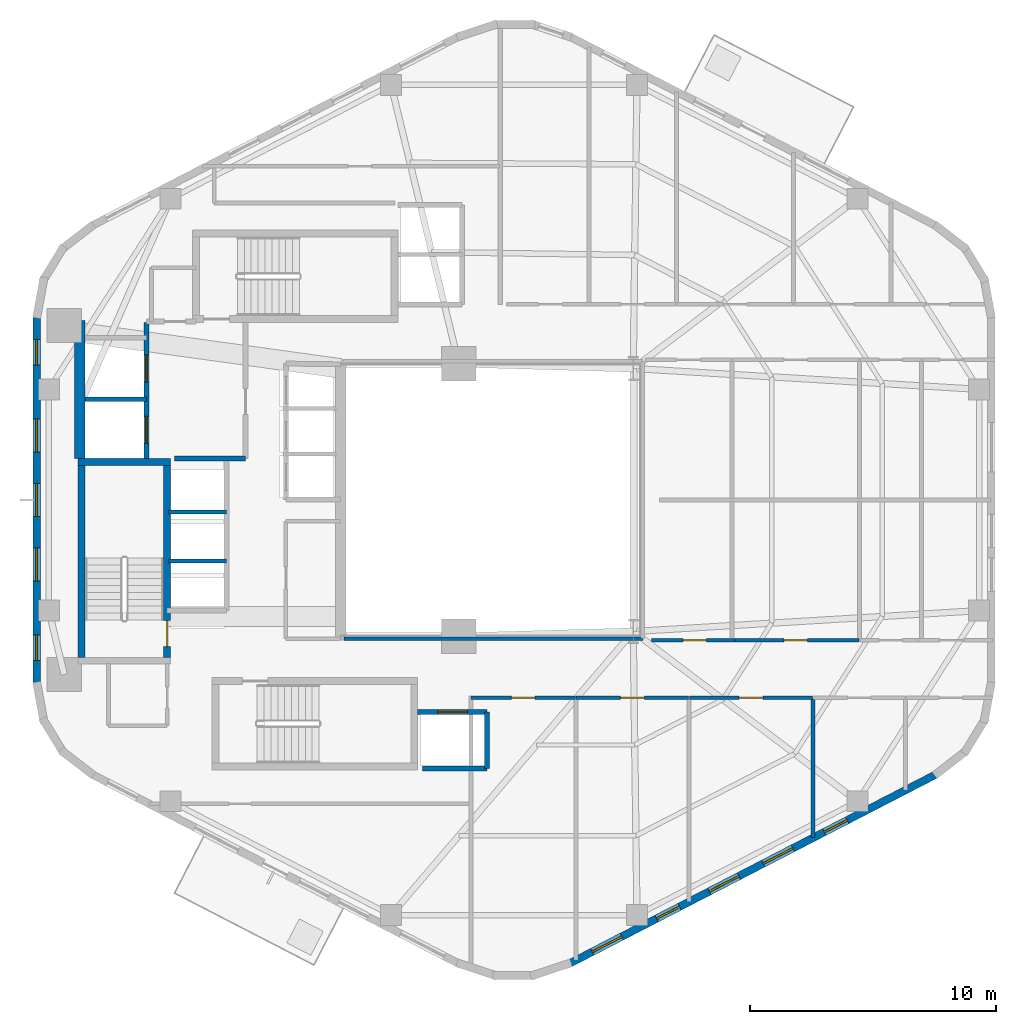
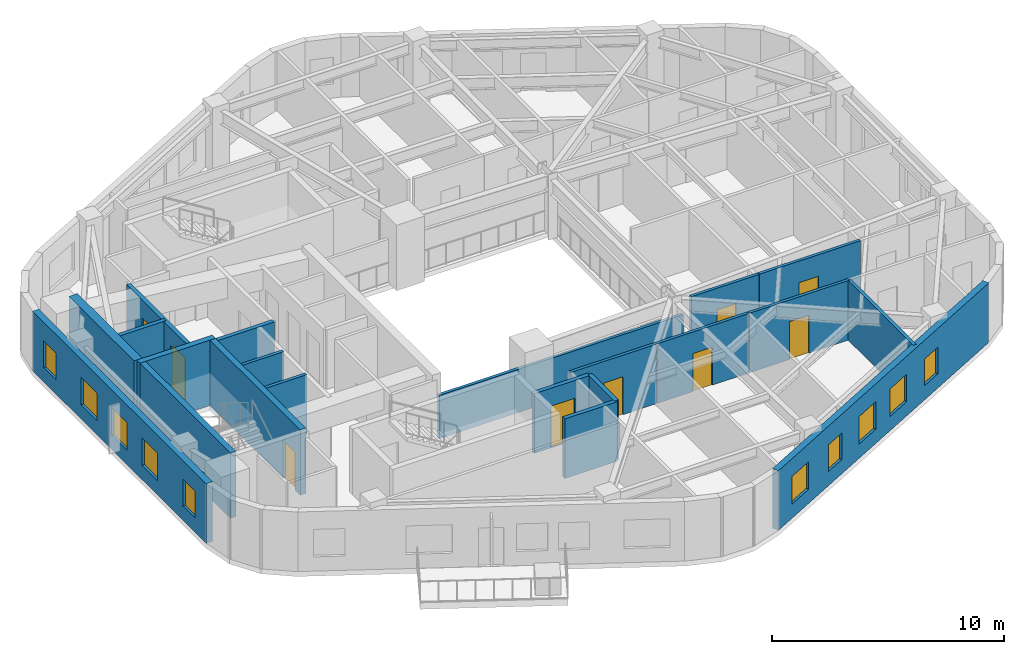
# One storey, part 3 of 8: 21 walls, 10 windows, 9 doors, 19 openings.
"""IFC4 building model written with IfcOpenShell, lengths in metres."""

import ifcopenshell
import ifcopenshell.guid

model = None  # the IFC model being written
_history = None  # IfcOwnerHistory: only IFC2X3 demands one
_inside = {}  # id of a spatial element -> (the spatial element, [elements in it])
_under = {}  # id of a project, library or spatial element -> (it, [spatial elements below it])
_declared = {}  # id of a project -> (the project, [libraries it declares])
_typed = {}  # id of a type object -> (the type object, [elements of that type])
_made_of = {}  # id of a material, layer set ... -> (it, [elements and type objects made of it])


def new_model(schema):
    """Start an empty IFC model of exactly this schema.

    Asked for "IFC4X3", IfcOpenShell would pick the latest addendum, in which some entities
    have other attributes; the version numbers below select the first issue.
    IFC2X3 requires an IfcOwnerHistory on every rooted entity: one is made here for all.
    """
    global model, _history
    if schema == "IFC4X3":
        model = ifcopenshell.file(schema_version=(4, 3, 0, 0))
    else:
        model = ifcopenshell.file(schema=schema)
    _inside.clear()
    _under.clear()
    _declared.clear()
    _typed.clear()
    _made_of.clear()
    _history = None
    if model.schema == "IFC2X3":
        org = make("IfcOrganization", Name="unknown")
        user = make(
            "IfcPersonAndOrganization",
            ThePerson=make("IfcPerson", FamilyName="unknown"),
            TheOrganization=org,
        )
        app = make(
            "IfcApplication",
            ApplicationDeveloper=org,
            Version="unknown",
            ApplicationFullName="unknown",
            ApplicationIdentifier="unknown",
        )
        _history = make(
            "IfcOwnerHistory",
            OwningUser=user,
            OwningApplication=app,
            ChangeAction="ADDED",
            CreationDate=0,
        )
    return model


def make(cls, **values):
    """One entity of the class cls with the attributes given. An attribute that is None is left unset."""
    return model.create_entity(
        cls, **{name: value for name, value in values.items() if value is not None}
    )


def rooted(cls, **values):
    """An entity with a GlobalId (a new one), such as an element, a storey or a relation."""
    return make(cls, GlobalId=ifcopenshell.guid.new(), OwnerHistory=_history, **values)


def si_unit(unit_type, name, prefix=None):
    """IfcSIUnit, for example si_unit("LENGTHUNIT", "METRE", prefix="MILLI")."""
    return make("IfcSIUnit", UnitType=unit_type, Prefix=prefix, Name=name)


def assignment(units):
    """IfcUnitAssignment: the units of a project."""
    return None if units is None else make("IfcUnitAssignment", Units=units)


def point(xyz):
    """IfcCartesianPoint."""
    return None if xyz is None else make("IfcCartesianPoint", Coordinates=xyz)


def direction(xyz):
    """IfcDirection."""
    return None if xyz is None else make("IfcDirection", DirectionRatios=xyz)


def frame(location, z_axis=None, x_axis=None):
    """IfcAxis2Placement3D, a coordinate frame: its origin and axes. An axis left out is left unset."""
    return make(
        "IfcAxis2Placement3D",
        Location=point(location),
        Axis=direction(z_axis),
        RefDirection=direction(x_axis),
    )


def frame_2d(location, x_axis=None):
    """IfcAxis2Placement2D, a coordinate frame in the plane: its origin and x axis."""
    return make(
        "IfcAxis2Placement2D", Location=point(location), RefDirection=direction(x_axis)
    )


def origin():
    """The frame at (0, 0, 0) with its axes left unset."""
    return frame((0.0, 0.0, 0.0))


def place(relative_to, where):
    """IfcLocalPlacement: puts the frame where relative to a parent placement (None: the world)."""
    return make(
        "IfcLocalPlacement", PlacementRelTo=relative_to, RelativePlacement=where
    )


def context(
    kind, dimensions, precision=None, world=None, true_north=None, identifier=None
):
    """IfcGeometricRepresentationContext, for example the 3D "Model" context."""
    return make(
        "IfcGeometricRepresentationContext",
        ContextIdentifier=identifier,
        ContextType=kind,
        CoordinateSpaceDimension=dimensions,
        Precision=precision,
        WorldCoordinateSystem=world,
        TrueNorth=true_north,
    )


def subcontext(parent, identifier, kind, view, scale=None):
    """IfcGeometricRepresentationSubContext, for example "Body" below "Model"."""
    return make(
        "IfcGeometricRepresentationSubContext",
        ContextIdentifier=identifier,
        ContextType=kind,
        ParentContext=parent,
        TargetScale=scale,
        TargetView=view,
    )


def project(units=None, contexts=None):
    """IfcProject with its units and contexts."""
    return rooted(
        "IfcProject",
        Name="project",
        RepresentationContexts=contexts,
        UnitsInContext=assignment(units),
    )


def spatial(cls, under=None, at=None, **own):
    """A site, building, storey or space (cls), placed at a placement, below another one or the project."""
    s = rooted(cls, ObjectPlacement=at, **own)
    if under is not None:
        _under.setdefault(under.id(), (under, []))[1].append(s)
    return s


def profile(cls, at=None, kind="AREA", **sizes):
    """A parametric profile (cls). Its sizes go by their IFC names, for example OverallWidth=200.0."""
    return make(cls, ProfileType=kind, Position=at, **sizes)


def rectangle(**sizes):
    """IfcRectangleProfileDef."""
    return profile("IfcRectangleProfileDef", **sizes)


def extrude(swept, where, along, depth):
    """IfcExtrudedAreaSolid: the profile swept, set in the frame where, extruded along a direction by depth."""
    return make(
        "IfcExtrudedAreaSolid",
        SweptArea=swept,
        Position=where,
        ExtrudedDirection=direction(along),
        Depth=depth,
    )


def shape(context_of_items, identifier, shape_type, items):
    """IfcShapeRepresentation: the items that make up one representation, for example the "Body"."""
    return make(
        "IfcShapeRepresentation",
        ContextOfItems=context_of_items,
        RepresentationIdentifier=identifier,
        RepresentationType=shape_type,
        Items=items,
    )


def material(Name=None, Category=None):
    """IfcMaterial."""
    return make("IfcMaterial", Name=Name, Category=Category)


def layer(
    of_material, thickness, ventilated=None, Name=None, Category=None, Priority=None
):
    """IfcMaterialLayer: one layer of a wall or slab, of a material (None: an air gap)."""
    return make(
        "IfcMaterialLayer",
        Material=of_material,
        LayerThickness=thickness,
        IsVentilated=ventilated,
        Name=Name,
        Category=Category,
        Priority=Priority,
    )


def layer_set(layers, Name=None):
    """IfcMaterialLayerSet."""
    return make("IfcMaterialLayerSet", MaterialLayers=layers, LayerSetName=Name)


def made_of(thing, what):
    """Note that an element or type object is made of a material, layer set ...; save() writes the relation."""
    if what is not None:
        _made_of.setdefault(what.id(), (what, []))[1].append(thing)
    return thing


def type_object(cls, material=None, **own):
    """A type object (cls), such as IfcWallType, which elements share."""
    return made_of(rooted(cls, **own), material)


def element(
    cls,
    number,
    at=None,
    inside=None,
    cuts=None,
    type_object=None,
    material=None,
    context=None,
    identifier="Body",
    shape_type=None,
    held_by="IfcProductDefinitionShape",
    body=None,
    shapes=None,
    **own,
):
    """One element of the class cls, such as IfcWall. Its Tag is "e" and its number.

    at: its placement. inside: the storey or other place that contains it. cuts: it is an
    opening in that element (IfcRelVoidsElement). A single representation is given by context,
    identifier, shape_type and body (its items); several are given by shapes. held_by: the class
    of the entity that holds the representations. save() writes the other relations.
    """
    e = rooted(cls, Tag="e%d" % number, ObjectPlacement=at, **own)
    if body is not None:
        shapes = [shape(context, identifier, shape_type, body)]
    if shapes is not None:
        e.Representation = make(held_by, Representations=shapes)
    if inside is not None:
        _inside.setdefault(inside.id(), (inside, []))[1].append(e)
    if cuts is not None:
        rooted(
            "IfcRelVoidsElement", RelatingBuildingElement=cuts, RelatedOpeningElement=e
        )
    if type_object is not None:
        _typed.setdefault(type_object.id(), (type_object, []))[1].append(e)
    return made_of(e, material)


def fill(opening, filler):
    """IfcRelFillsElement: the door or window that sits in an opening."""
    return rooted(
        "IfcRelFillsElement",
        RelatingOpeningElement=opening,
        RelatedBuildingElement=filler,
    )


def aggregate(whole, parts):
    """IfcRelAggregates: a whole, such as a stair, and the parts it consists of."""
    return rooted("IfcRelAggregates", RelatingObject=whole, RelatedObjects=parts)


def save(model, path):
    """Write the relations noted so far, then the file.

    IfcRelAggregates (storeys below a building ...), IfcRelContainedInSpatialStructure (elements
    in a storey), IfcRelDefinesByType, IfcRelAssociatesMaterial and IfcRelDeclares: one each for
    every whole, place, type object, material and project.
    """
    for whole, parts in _under.values():
        aggregate(whole, parts)
    for where, things in _inside.values():
        rooted(
            "IfcRelContainedInSpatialStructure",
            RelatedElements=things,
            RelatingStructure=where,
        )
    for kind, things in _typed.values():
        rooted("IfcRelDefinesByType", RelatedObjects=things, RelatingType=kind)
    for what, things in _made_of.values():
        rooted("IfcRelAssociatesMaterial", RelatedObjects=things, RelatingMaterial=what)
    for by, libraries in _declared.values():
        rooted("IfcRelDeclares", RelatingContext=by, RelatedDefinitions=libraries)
    model.write(path)


model = new_model("IFC4")

# Units and contexts
model_context = context("Model", 3, precision=1e-05, world=origin(), true_north=direction((0.0, 1.0)))
body_context = subcontext(model_context, "Body", "Model", "MODEL_VIEW")
ifc_project = project(units=[si_unit("LENGTHUNIT", "METRE"), si_unit("AREAUNIT", "SQUARE_METRE"), si_unit("VOLUMEUNIT", "CUBIC_METRE"), si_unit("PLANEANGLEUNIT", "RADIAN"), si_unit("MASSUNIT", "GRAM", prefix="KILO"), si_unit("THERMODYNAMICTEMPERATUREUNIT", "KELVIN"), si_unit("POWERUNIT", "WATT")], contexts=[model_context])

# Site, building, storey
site_placement = place(None, origin())
site = spatial("IfcSite", under=ifc_project, at=site_placement, CompositionType="ELEMENT")
building_placement = place(site_placement, origin())
building = spatial("IfcBuilding", under=site, at=building_placement, Name="Skarre Station Tower", CompositionType="ELEMENT")
storey_placement = place(building_placement, frame((0.0, 0.0, 187.800048828125)))
storey = spatial("IfcBuildingStorey", under=building, at=storey_placement, Name="L51", CompositionType="ELEMENT", Elevation=187.800048828125)

# Wall
ifc_material_1 = material(Name="Acoustic Steel-Stud Gypsum Partition", Category="steel")
ifc_layer_1 = layer(ifc_material_1, 0.14990234375, Name="Acoustic Steel-Stud Gypsum Partition")
ifc_layer_set_1 = layer_set([ifc_layer_1], Name="Acoustic Steel-Stud Gypsum Partition")
wall_type_1 = type_object("IfcWallType", Name="Fire-Rated Corridor Acoustic Partition 150", PredefinedType="PARTITIONING", material=ifc_layer_set_1)
wall_1_placement = place(storey_placement, frame((27.675048828125, 18.360107421875, 0.0), z_axis=(0.0, 0.0, 1.0), x_axis=(1.0, 0.0, 0.0)))
element("IfcWall", 1, at=wall_1_placement, inside=storey, type_object=wall_type_1, Name="L51 Interior Partition WL-PT-L51-ATRW-S", PredefinedType="PARTITIONING", context=body_context, shape_type="SweptSolid", body=[
    extrude(rectangle(XDim=12.1650390625, YDim=0.14990234375, at=frame_2d((6.08251953125, 0.0))), origin(), (0.0, 0.0, 1.0), 2.281005859375),
])

# Wall, opening, door
wall_2_placement = place(storey_placement, frame((43.5810546875, 18.2900390625, 0.0), z_axis=(0.0, 0.0, 1.0), x_axis=(-1.0, 0.0, 0.0)))
wall_2 = element("IfcWall", 2, at=wall_2_placement, inside=storey, type_object=wall_type_1, Name="L51 Interior Partition WL-PT-L51-EWS1-CW", PredefinedType="PARTITIONING", context=body_context, shape_type="SweptSolid", body=[
    extrude(rectangle(XDim=3.381103515625, YDim=0.14990234375, at=frame_2d((1.6904296875, 0.0))), origin(), (0.0, 0.0, 1.0), 3.139892578125),
])
opening_1_placement = place(wall_2_placement, frame((1.153076171875, 0.0, 0.0)))
opening_1 = element("IfcOpeningElement", 3, at=opening_1_placement, cuts=wall_2, Name="Opening DR-FD60", PredefinedType="OPENING", context=body_context, shape_type="SweptSolid", body=[
    extrude(rectangle(XDim=0.9599609375, YDim=2.0, at=frame_2d((0.47998046875, 1.0))), frame((0.0, 0.0849609375, 0.0), z_axis=(0.0, -1.0, 0.0), x_axis=(1.0, 0.0, 0.0)), (0.0, 0.0, 1.0), 0.169921875),
])
ifc_material_2 = material(Name="Nordic White-Oak Veneer Solid-Core Fire Leaf", Category="wood")
door_type_1 = type_object("IfcDoorType", Name="Corridor Suite Entry Fire Door FD60 960x2150", OperationType="SINGLE_SWING_LEFT", PredefinedType="DOOR", material=ifc_material_2)
door_1_placement = place(opening_1_placement, origin())
door_1 = element("IfcDoor", 4, at=door_1_placement, inside=storey, type_object=door_type_1, Name="L51 EWS1 Entry Door", OperationType="SINGLE_SWING_LEFT", OverallHeight=2.0, OverallWidth=0.9599609375, PredefinedType="DOOR", context=body_context, shape_type="SweptSolid", body=[
    extrude(rectangle(XDim=0.9599609375, YDim=2.0, at=frame_2d((0.47998046875, 1.0))), frame((0.0, 0.02490234375, 0.0), z_axis=(0.0, -1.0, 0.0), x_axis=(1.0, 0.0, 0.0)), (0.0, 0.0, 1.0), 0.050048828125),
])
fill(opening_1, door_1)

wall_3_placement = place(storey_placement, frame((48.64111328125, 18.2900390625, 0.0), z_axis=(0.0, 0.0, 1.0), x_axis=(-1.0, 0.0, 0.0)))
wall_3 = element("IfcWall", 5, at=wall_3_placement, inside=storey, type_object=wall_type_1, Name="L51 Interior Partition WL-PT-L51-EWS2-CW", PredefinedType="PARTITIONING", context=body_context, shape_type="SweptSolid", body=[
    extrude(rectangle(XDim=5.050048828125, YDim=0.14990234375, at=frame_2d((2.52490234375, 0.0))), origin(), (0.0, 0.0, 1.0), 3.139892578125),
])
opening_2_placement = place(wall_3_placement, frame((2.10205078125, 0.0, 0.0)))
opening_2 = element("IfcOpeningElement", 6, at=opening_2_placement, cuts=wall_3, Name="Opening DR-FD60", PredefinedType="OPENING", context=body_context, shape_type="SweptSolid", body=[
    extrude(rectangle(XDim=0.9599609375, YDim=2.0, at=frame_2d((0.47998046875, 1.0))), frame((0.0, 0.0849609375, 0.0), z_axis=(0.0, -1.0, 0.0), x_axis=(1.0, 0.0, 0.0)), (0.0, 0.0, 1.0), 0.169921875),
])
door_2_placement = place(opening_2_placement, origin())
door_2 = element("IfcDoor", 7, at=door_2_placement, inside=storey, type_object=door_type_1, Name="L51 EWS2 Entry Door", OperationType="SINGLE_SWING_LEFT", OverallHeight=2.0, OverallWidth=0.9599609375, PredefinedType="DOOR", context=body_context, shape_type="SweptSolid", body=[
    extrude(rectangle(XDim=0.9599609375, YDim=2.0, at=frame_2d((0.47998046875, 1.0))), frame((0.0, 0.02490234375, 0.0), z_axis=(0.0, -1.0, 0.0), x_axis=(1.0, 0.0, 0.0)), (0.0, 0.0, 1.0), 0.050048828125),
])
fill(opening_2, door_2)

wall_4_placement = place(storey_placement, frame((32.85009765625, 15.9599609375, 0.0), z_axis=(0.0, 0.0, 1.0), x_axis=(1.0, 0.0, 0.0)))
wall_4 = element("IfcWall", 8, at=wall_4_placement, inside=storey, type_object=wall_type_1, Name="L51 Interior Partition WL-PT-L51-SW1-CW", PredefinedType="PARTITIONING", context=body_context, shape_type="SweptSolid", body=[
    extrude(rectangle(XDim=4.244873046875, YDim=0.14990234375, at=frame_2d((2.12255859375, 0.0))), origin(), (0.0, 0.0, 1.0), 3.139892578125),
])
opening_3_placement = place(wall_4_placement, frame((1.64306640625, 0.0, 0.0)))
opening_3 = element("IfcOpeningElement", 9, at=opening_3_placement, cuts=wall_4, Name="Opening DR-FD60", PredefinedType="OPENING", context=body_context, shape_type="SweptSolid", body=[
    extrude(rectangle(XDim=0.9599609375, YDim=2.0, at=frame_2d((0.47998046875, 1.0))), frame((0.0, 0.0849609375, 0.0), z_axis=(0.0, -1.0, 0.0), x_axis=(1.0, 0.0, 0.0)), (0.0, 0.0, 1.0), 0.169921875),
])
door_3_placement = place(opening_3_placement, origin())
door_3 = element("IfcDoor", 10, at=door_3_placement, inside=storey, type_object=door_type_1, Name="L51 SW1 Entry Door", OperationType="SINGLE_SWING_LEFT", OverallHeight=2.0, OverallWidth=0.9599609375, PredefinedType="DOOR", context=body_context, shape_type="SweptSolid", body=[
    extrude(rectangle(XDim=0.9599609375, YDim=2.0, at=frame_2d((0.47998046875, 1.0))), frame((0.0, 0.02490234375, 0.0), z_axis=(0.0, -1.0, 0.0), x_axis=(1.0, 0.0, 0.0)), (0.0, 0.0, 1.0), 0.050048828125),
])
fill(opening_3, door_3)

wall_5_placement = place(storey_placement, frame((37.131103515625, 15.9599609375, 0.0), z_axis=(0.0, 0.0, 1.0), x_axis=(1.0, 0.0, 0.0)))
wall_5 = element("IfcWall", 11, at=wall_5_placement, inside=storey, type_object=wall_type_1, Name="L51 Interior Partition WL-PT-L51-SW2-CW", PredefinedType="PARTITIONING", context=body_context, shape_type="SweptSolid", body=[
    extrude(rectangle(XDim=4.574951171875, YDim=0.14990234375, at=frame_2d((2.28759765625, 0.0))), origin(), (0.0, 0.0, 1.0), 3.139892578125),
])
opening_4_placement = place(wall_5_placement, frame((1.80810546875, 0.0, 0.0)))
opening_4 = element("IfcOpeningElement", 12, at=opening_4_placement, cuts=wall_5, Name="Opening DR-FD60", PredefinedType="OPENING", context=body_context, shape_type="SweptSolid", body=[
    extrude(rectangle(XDim=0.9599609375, YDim=2.0, at=frame_2d((0.47998046875, 1.0))), frame((0.0, 0.0849609375, 0.0), z_axis=(0.0, -1.0, 0.0), x_axis=(1.0, 0.0, 0.0)), (0.0, 0.0, 1.0), 0.169921875),
])
door_4_placement = place(opening_4_placement, origin())
door_4 = element("IfcDoor", 13, at=door_4_placement, inside=storey, type_object=door_type_1, Name="L51 SW2 Entry Door", OperationType="SINGLE_SWING_LEFT", OverallHeight=2.0, OverallWidth=0.9599609375, PredefinedType="DOOR", context=body_context, shape_type="SweptSolid", body=[
    extrude(rectangle(XDim=0.9599609375, YDim=2.0, at=frame_2d((0.47998046875, 1.0))), frame((0.0, 0.02490234375, 0.0), z_axis=(0.0, -1.0, 0.0), x_axis=(1.0, 0.0, 0.0)), (0.0, 0.0, 1.0), 0.050048828125),
])
fill(opening_4, door_4)

wall_6_placement = place(storey_placement, frame((41.741943359375, 15.9599609375, 0.0), z_axis=(0.0, 0.0, 1.0), x_axis=(1.0, 0.0, 0.0)))
wall_6 = element("IfcWall", 14, at=wall_6_placement, inside=storey, type_object=wall_type_1, Name="L51 Interior Partition WL-PT-L51-SW3-CW", PredefinedType="PARTITIONING", context=body_context, shape_type="SweptSolid", body=[
    extrude(rectangle(XDim=4.9951171875, YDim=0.14990234375, at=frame_2d((2.49755859375, 0.0))), origin(), (0.0, 0.0, 1.0), 3.139892578125),
])
opening_5_placement = place(wall_6_placement, frame((2.01806640625, 0.0, 0.0)))
opening_5 = element("IfcOpeningElement", 15, at=opening_5_placement, cuts=wall_6, Name="Opening DR-FD60", PredefinedType="OPENING", context=body_context, shape_type="SweptSolid", body=[
    extrude(rectangle(XDim=0.9599609375, YDim=2.0, at=frame_2d((0.47998046875, 1.0))), frame((0.0, 0.0849609375, 0.0), z_axis=(0.0, -1.0, 0.0), x_axis=(1.0, 0.0, 0.0)), (0.0, 0.0, 1.0), 0.169921875),
])
door_5_placement = place(opening_5_placement, origin())
door_5 = element("IfcDoor", 16, at=door_5_placement, inside=storey, type_object=door_type_1, Name="L51 SW3 Entry Door", OperationType="SINGLE_SWING_LEFT", OverallHeight=2.0, OverallWidth=0.9599609375, PredefinedType="DOOR", context=body_context, shape_type="SweptSolid", body=[
    extrude(rectangle(XDim=0.9599609375, YDim=2.0, at=frame_2d((0.47998046875, 1.0))), frame((0.0, 0.02490234375, 0.0), z_axis=(0.0, -1.0, 0.0), x_axis=(1.0, 0.0, 0.0)), (0.0, 0.0, 1.0), 0.050048828125),
])
fill(opening_5, door_5)

# Wall, openings, windows
ifc_material_3 = material(Name="Precast concrete C45/55", Category="concrete")
ifc_layer_2 = layer(ifc_material_3, 0.31005859375, Name="Precast concrete C45/55")
ifc_layer_set_2 = layer_set([ifc_layer_2], Name="Precast concrete C45/55")
wall_type_2 = type_object("IfcWallType", Name="Nordic Upper-Zone Precast Facet Wall 310", PredefinedType="STANDARD", material=ifc_layer_set_2)
wall_7_placement = place(storey_placement, frame((15.18310546875, 16.498046875, 0.0), z_axis=(0.0, 0.0, 1.0), x_axis=(0.0, 1.0, 0.0)))
wall_7 = element("IfcWall", 17, at=wall_7_placement, inside=storey, type_object=wall_type_2, Name="L51 Facet 2 Nordic Precast Masonry Wall", PredefinedType="STANDARD", context=body_context, shape_type="SweptSolid", body=[
    extrude(rectangle(XDim=15.00390625, YDim=0.31005859375, at=frame_2d((7.501953125, 0.0))), origin(), (0.0, 0.0, 1.0), 3.139892578125),
])
opening_6_placement = place(wall_7_placement, frame((0.968017578125, 0.0, 0.75)))
opening_6 = element("IfcOpeningElement", 18, at=opening_6_placement, cuts=wall_7, Name="Opening WN-SLT", PredefinedType="OPENING", context=body_context, shape_type="SweptSolid", body=[
    extrude(rectangle(XDim=1.050048828125, YDim=1.39990234375, at=frame_2d((0.52490234375, 0.699951171875))), frame((0.0, 0.1650390625, 0.0), z_axis=(0.0, -1.0, 0.0), x_axis=(1.0, 0.0, 0.0)), (0.0, 0.0, 1.0), 0.330078125),
])
opening_7_placement = place(wall_7_placement, frame((4.202880859375, 0.0, 0.75)))
opening_7 = element("IfcOpeningElement", 19, at=opening_7_placement, cuts=wall_7, Name="Opening WN-Z3B", PredefinedType="OPENING", context=body_context, shape_type="SweptSolid", body=[
    extrude(rectangle(XDim=1.35009765625, YDim=1.449951171875, at=frame_2d((0.675048828125, 0.72509765625))), frame((0.0, 0.1650390625, 0.0), z_axis=(0.0, -1.0, 0.0), x_axis=(1.0, 0.0, 0.0)), (0.0, 0.0, 1.0), 0.330078125),
])
opening_8_placement = place(wall_7_placement, frame((6.826904296875, 0.0, 0.75)))
opening_8 = element("IfcOpeningElement", 20, at=opening_8_placement, cuts=wall_7, Name="Opening WN-Z3B", PredefinedType="OPENING", context=body_context, shape_type="SweptSolid", body=[
    extrude(rectangle(XDim=1.35009765625, YDim=1.449951171875, at=frame_2d((0.675048828125, 0.72509765625))), frame((0.0, 0.1650390625, 0.0), z_axis=(0.0, -1.0, 0.0), x_axis=(1.0, 0.0, 0.0)), (0.0, 0.0, 1.0), 0.330078125),
])
opening_9_placement = place(wall_7_placement, frame((9.450927734375, 0.0, 0.75)))
opening_9 = element("IfcOpeningElement", 21, at=opening_9_placement, cuts=wall_7, Name="Opening WN-Z3B", PredefinedType="OPENING", context=body_context, shape_type="SweptSolid", body=[
    extrude(rectangle(XDim=1.35009765625, YDim=1.449951171875, at=frame_2d((0.675048828125, 0.72509765625))), frame((0.0, 0.1650390625, 0.0), z_axis=(0.0, -1.0, 0.0), x_axis=(1.0, 0.0, 0.0)), (0.0, 0.0, 1.0), 0.330078125),
])
opening_10_placement = place(wall_7_placement, frame((12.986083984375, 0.0, 0.75)))
opening_10 = element("IfcOpeningElement", 22, at=opening_10_placement, cuts=wall_7, Name="Opening WN-SLT", PredefinedType="OPENING", context=body_context, shape_type="SweptSolid", body=[
    extrude(rectangle(XDim=1.050048828125, YDim=1.39990234375, at=frame_2d((0.52490234375, 0.699951171875))), frame((0.0, 0.1650390625, 0.0), z_axis=(0.0, -1.0, 0.0), x_axis=(1.0, 0.0, 0.0)), (0.0, 0.0, 1.0), 0.330078125),
])
ifc_material_4 = material(Name="Low-Iron Triple Glazing with Bronze Anodized Frame", Category="glass")
window_type_1 = type_object("IfcWindowType", Name="Nordic Corner Slot Window 1050x1400", PartitioningType="SINGLE_PANEL", PredefinedType="WINDOW", material=ifc_material_4)
window_1_placement = place(opening_6_placement, origin())
window_1 = element("IfcWindow", 23, at=window_1_placement, inside=storey, type_object=window_type_1, Name="L51 Facade Window WL-FAC-L51-F2-1", OverallHeight=1.39990234375, OverallWidth=1.050048828125, PartitioningType="SINGLE_PANEL", PredefinedType="WINDOW", context=body_context, shape_type="SweptSolid", body=[
    extrude(rectangle(XDim=1.050048828125, YDim=1.39990234375, at=frame_2d((0.52490234375, 0.699951171875))), frame((0.0, 0.030029296875, 0.0), z_axis=(0.0, -1.0, 0.0), x_axis=(1.0, 0.0, 0.0)), (0.0, 0.0, 1.0), 0.06005859375),
])
fill(opening_6, window_1)
window_2_placement = place(opening_10_placement, origin())
window_2 = element("IfcWindow", 24, at=window_2_placement, inside=storey, type_object=window_type_1, Name="L51 Facade Window WL-FAC-L51-F2-5", OverallHeight=1.39990234375, OverallWidth=1.050048828125, PartitioningType="SINGLE_PANEL", PredefinedType="WINDOW", context=body_context, shape_type="SweptSolid", body=[
    extrude(rectangle(XDim=1.050048828125, YDim=1.39990234375, at=frame_2d((0.52490234375, 0.699951171875))), frame((0.0, 0.030029296875, 0.0), z_axis=(0.0, -1.0, 0.0), x_axis=(1.0, 0.0, 0.0)), (0.0, 0.0, 1.0), 0.06005859375),
])
fill(opening_10, window_2)
window_type_2 = type_object("IfcWindowType", Name="Nordic Hospitality Narrow Window 1350x1450", PartitioningType="SINGLE_PANEL", PredefinedType="WINDOW", material=ifc_material_4)
window_3_placement = place(opening_7_placement, origin())
window_3 = element("IfcWindow", 25, at=window_3_placement, inside=storey, type_object=window_type_2, Name="L51 Facade Window WL-FAC-L51-F2-2", OverallHeight=1.449951171875, OverallWidth=1.35009765625, PartitioningType="SINGLE_PANEL", PredefinedType="WINDOW", context=body_context, shape_type="SweptSolid", body=[
    extrude(rectangle(XDim=1.35009765625, YDim=1.449951171875, at=frame_2d((0.675048828125, 0.72509765625))), frame((0.0, 0.030029296875, 0.0), z_axis=(0.0, -1.0, 0.0), x_axis=(1.0, 0.0, 0.0)), (0.0, 0.0, 1.0), 0.06005859375),
])
fill(opening_7, window_3)
window_4_placement = place(opening_8_placement, origin())
window_4 = element("IfcWindow", 26, at=window_4_placement, inside=storey, type_object=window_type_2, Name="L51 Facade Window WL-FAC-L51-F2-3", OverallHeight=1.449951171875, OverallWidth=1.35009765625, PartitioningType="SINGLE_PANEL", PredefinedType="WINDOW", context=body_context, shape_type="SweptSolid", body=[
    extrude(rectangle(XDim=1.35009765625, YDim=1.449951171875, at=frame_2d((0.675048828125, 0.72509765625))), frame((0.0, 0.030029296875, 0.0), z_axis=(0.0, -1.0, 0.0), x_axis=(1.0, 0.0, 0.0)), (0.0, 0.0, 1.0), 0.06005859375),
])
fill(opening_8, window_4)
window_5_placement = place(opening_9_placement, origin())
window_5 = element("IfcWindow", 27, at=window_5_placement, inside=storey, type_object=window_type_2, Name="L51 Facade Window WL-FAC-L51-F2-4", OverallHeight=1.449951171875, OverallWidth=1.35009765625, PartitioningType="SINGLE_PANEL", PredefinedType="WINDOW", context=body_context, shape_type="SweptSolid", body=[
    extrude(rectangle(XDim=1.35009765625, YDim=1.449951171875, at=frame_2d((0.675048828125, 0.72509765625))), frame((0.0, 0.030029296875, 0.0), z_axis=(0.0, -1.0, 0.0), x_axis=(1.0, 0.0, 0.0)), (0.0, 0.0, 1.0), 0.06005859375),
])
fill(opening_9, window_5)

wall_8_placement = place(storey_placement, frame((51.7919921875, 12.846923828125, 0.0), z_axis=(0.0, 0.0, 1.0), x_axis=(-0.888626188278, -0.458632202867, 0.0)))
wall_8 = element("IfcWall", 28, at=wall_8_placement, inside=storey, type_object=wall_type_2, Name="L51 Facet 4 Nordic Precast Masonry Wall", PredefinedType="STANDARD", context=body_context, shape_type="SweptSolid", body=[
    extrude(rectangle(XDim=16.828369140625, YDim=0.31005859375, at=frame_2d((8.4140625, 0.0))), origin(), (0.0, 0.0, 1.0), 3.139892578125),
])
opening_11_placement = place(wall_8_placement, frame((4.090087890625, 0.0, 0.75)))
opening_11 = element("IfcOpeningElement", 29, at=opening_11_placement, cuts=wall_8, Name="Opening WN-SLT", PredefinedType="OPENING", context=body_context, shape_type="SweptSolid", body=[
    extrude(rectangle(XDim=1.050048828125, YDim=1.39990234375, at=frame_2d((0.52490234375, 0.699951171875))), frame((0.0, 0.1650390625, 0.0), z_axis=(0.0, -1.0, 0.0), x_axis=(1.0, 0.0, 0.0)), (0.0, 0.0, 1.0), 0.330078125),
])
opening_12_placement = place(wall_8_placement, frame((6.58203125, 0.0, 0.75)))
opening_12 = element("IfcOpeningElement", 30, at=opening_12_placement, cuts=wall_8, Name="Opening WN-Z3B", PredefinedType="OPENING", context=body_context, shape_type="SweptSolid", body=[
    extrude(rectangle(XDim=1.35009765625, YDim=1.449951171875, at=frame_2d((0.675048828125, 0.72509765625))), frame((0.0, 0.1650390625, 0.0), z_axis=(0.0, -1.0, 0.0), x_axis=(1.0, 0.0, 0.0)), (0.0, 0.0, 1.0), 0.330078125),
])
opening_13_placement = place(wall_8_placement, frame((9.051025390625, 0.0, 0.75)))
opening_13 = element("IfcOpeningElement", 31, at=opening_13_placement, cuts=wall_8, Name="Opening WN-Z3B", PredefinedType="OPENING", context=body_context, shape_type="SweptSolid", body=[
    extrude(rectangle(XDim=1.35009765625, YDim=1.449951171875, at=frame_2d((0.675048828125, 0.72509765625))), frame((0.0, 0.1650390625, 0.0), z_axis=(0.0, -1.0, 0.0), x_axis=(1.0, 0.0, 0.0)), (0.0, 0.0, 1.0), 0.330078125),
])
opening_14_placement = place(wall_8_placement, frame((11.76611328125, 0.0, 0.75)))
opening_14 = element("IfcOpeningElement", 32, at=opening_14_placement, cuts=wall_8, Name="Opening WN-SLT", PredefinedType="OPENING", context=body_context, shape_type="SweptSolid", body=[
    extrude(rectangle(XDim=1.050048828125, YDim=1.39990234375, at=frame_2d((0.52490234375, 0.699951171875))), frame((0.0, 0.1650390625, 0.0), z_axis=(0.0, -1.0, 0.0), x_axis=(1.0, 0.0, 0.0)), (0.0, 0.0, 1.0), 0.330078125),
])
opening_15_placement = place(wall_8_placement, frame((14.4130859375, 0.0, 0.75)))
opening_15 = element("IfcOpeningElement", 33, at=opening_15_placement, cuts=wall_8, Name="Opening WN-Z3B", PredefinedType="OPENING", context=body_context, shape_type="SweptSolid", body=[
    extrude(rectangle(XDim=1.35009765625, YDim=1.449951171875, at=frame_2d((0.675048828125, 0.72509765625))), frame((0.0, 0.1650390625, 0.0), z_axis=(0.0, -1.0, 0.0), x_axis=(1.0, 0.0, 0.0)), (0.0, 0.0, 1.0), 0.330078125),
])
window_6_placement = place(opening_11_placement, origin())
window_6 = element("IfcWindow", 34, at=window_6_placement, inside=storey, type_object=window_type_1, Name="L51 Facade Window WL-FAC-L51-F4-1", OverallHeight=1.39990234375, OverallWidth=1.050048828125, PartitioningType="SINGLE_PANEL", PredefinedType="WINDOW", context=body_context, shape_type="SweptSolid", body=[
    extrude(rectangle(XDim=1.050048828125, YDim=1.39990234375, at=frame_2d((0.52490234375, 0.699951171875))), frame((0.0, 0.030029296875, 0.0), z_axis=(0.0, -1.0, 0.0), x_axis=(1.0, 0.0, 0.0)), (0.0, 0.0, 1.0), 0.06005859375),
])
fill(opening_11, window_6)
window_7_placement = place(opening_14_placement, origin())
window_7 = element("IfcWindow", 35, at=window_7_placement, inside=storey, type_object=window_type_1, Name="L51 Facade Window WL-FAC-L51-F4-4", OverallHeight=1.39990234375, OverallWidth=1.050048828125, PartitioningType="SINGLE_PANEL", PredefinedType="WINDOW", context=body_context, shape_type="SweptSolid", body=[
    extrude(rectangle(XDim=1.050048828125, YDim=1.39990234375, at=frame_2d((0.52490234375, 0.699951171875))), frame((0.0, 0.030029296875, 0.0), z_axis=(0.0, -1.0, 0.0), x_axis=(1.0, 0.0, 0.0)), (0.0, 0.0, 1.0), 0.06005859375),
])
fill(opening_14, window_7)
window_8_placement = place(opening_12_placement, origin())
window_8 = element("IfcWindow", 36, at=window_8_placement, inside=storey, type_object=window_type_2, Name="L51 Facade Window WL-FAC-L51-F4-2", OverallHeight=1.449951171875, OverallWidth=1.35009765625, PartitioningType="SINGLE_PANEL", PredefinedType="WINDOW", context=body_context, shape_type="SweptSolid", body=[
    extrude(rectangle(XDim=1.35009765625, YDim=1.449951171875, at=frame_2d((0.675048828125, 0.72509765625))), frame((0.0, 0.030029296875, 0.0), z_axis=(0.0, -1.0, 0.0), x_axis=(1.0, 0.0, 0.0)), (0.0, 0.0, 1.0), 0.06005859375),
])
fill(opening_12, window_8)
window_9_placement = place(opening_13_placement, origin())
window_9 = element("IfcWindow", 37, at=window_9_placement, inside=storey, type_object=window_type_2, Name="L51 Facade Window WL-FAC-L51-F4-3", OverallHeight=1.449951171875, OverallWidth=1.35009765625, PartitioningType="SINGLE_PANEL", PredefinedType="WINDOW", context=body_context, shape_type="SweptSolid", body=[
    extrude(rectangle(XDim=1.35009765625, YDim=1.449951171875, at=frame_2d((0.675048828125, 0.72509765625))), frame((0.0, 0.030029296875, 0.0), z_axis=(0.0, -1.0, 0.0), x_axis=(1.0, 0.0, 0.0)), (0.0, 0.0, 1.0), 0.06005859375),
])
fill(opening_13, window_9)
window_10_placement = place(opening_15_placement, origin())
window_10 = element("IfcWindow", 38, at=window_10_placement, inside=storey, type_object=window_type_2, Name="L51 Facade Window WL-FAC-L51-F4-5", OverallHeight=1.449951171875, OverallWidth=1.35009765625, PartitioningType="SINGLE_PANEL", PredefinedType="WINDOW", context=body_context, shape_type="SweptSolid", body=[
    extrude(rectangle(XDim=1.35009765625, YDim=1.449951171875, at=frame_2d((0.675048828125, 0.72509765625))), frame((0.0, 0.030029296875, 0.0), z_axis=(0.0, -1.0, 0.0), x_axis=(1.0, 0.0, 0.0)), (0.0, 0.0, 1.0), 0.06005859375),
])
fill(opening_15, window_10)

# Walls
ifc_material_5 = material(Name="Concrete C50/60", Category="concrete")
ifc_layer_3 = layer(ifc_material_5, 0.280029296875, Name="Concrete C50/60")
ifc_layer_set_3 = layer_set([ifc_layer_3], Name="Concrete C50/60")
wall_type_3 = type_object("IfcWallType", Name="RC Core Shear Wall 280", PredefinedType="SHEAR", material=ifc_layer_set_3)
wall_9_placement = place(storey_placement, frame((20.6298828125, 25.5400390625, 0.0), z_axis=(0.0, 0.0, 1.0), x_axis=(-1.0, 0.0, 0.0)))
element("IfcWall", 39, at=wall_9_placement, inside=storey, type_object=wall_type_3, Name="L51 Stair ST-1 North Shear Wall", PredefinedType="SHEAR", context=body_context, shape_type="SweptSolid", body=[
    extrude(rectangle(XDim=3.759765625, YDim=0.280029296875, at=frame_2d((1.8798828125, 0.0))), origin(), (0.0, 0.0, 1.0), 3.449951171875),
])
wall_10_placement = place(storey_placement, frame((17.010009765625, 25.39990234375, 0.0), z_axis=(0.0, 0.0, 1.0), x_axis=(0.0, -1.0, 0.0)))
element("IfcWall", 40, at=wall_10_placement, inside=storey, type_object=wall_type_3, Name="L51 Stair ST-1 West Shear Wall", PredefinedType="SHEAR", context=body_context, shape_type="SweptSolid", body=[
    extrude(rectangle(XDim=7.7998046875, YDim=0.280029296875, at=frame_2d((3.89990234375, 0.0))), origin(), (0.0, 0.0, 1.0), 3.449951171875),
])

# Wall, opening, door
wall_11_placement = place(storey_placement, frame((20.489990234375, 17.60009765625, 0.0), z_axis=(0.0, 0.0, 1.0), x_axis=(0.0, 1.0, 0.0)))
wall_11 = element("IfcWall", 41, at=wall_11_placement, inside=storey, type_object=wall_type_3, Name="L51 Stair ST-1 East Shear Wall", PredefinedType="SHEAR", context=body_context, shape_type="SweptSolid", body=[
    extrude(rectangle(XDim=7.7998046875, YDim=0.280029296875, at=frame_2d((3.89990234375, 0.0))), origin(), (0.0, 0.0, 1.0), 3.449951171875),
])
opening_16_placement = place(wall_11_placement, frame((0.43994140625, 0.0, 0.0)))
opening_16 = element("IfcOpeningElement", 42, at=opening_16_placement, cuts=wall_11, Name="Opening DR-FD90", PredefinedType="OPENING", context=body_context, shape_type="SweptSolid", body=[
    extrude(rectangle(XDim=1.050048828125, YDim=2.0, at=frame_2d((0.52490234375, 1.0))), frame((0.0, 0.14990234375, 0.0), z_axis=(0.0, -1.0, 0.0), x_axis=(1.0, 0.0, 0.0)), (0.0, 0.0, 1.0), 0.300048828125),
])
ifc_material_6 = material(Name="Fire-Rated Insulated Steel Frame & Timber Core Leaf", Category="steel")
door_type_2 = type_object("IfcDoorType", Name="Stair & FSAE Lobby Fire Door FD90 1050x2150", OperationType="SINGLE_SWING_RIGHT", PredefinedType="DOOR", material=ifc_material_6)
door_6_placement = place(opening_16_placement, origin())
door_6 = element("IfcDoor", 43, at=door_6_placement, inside=storey, type_object=door_type_2, Name="L51 Stair ST-1 Exit Door", OperationType="SINGLE_SWING_RIGHT", OverallHeight=2.0, OverallWidth=1.050048828125, PredefinedType="DOOR", context=body_context, shape_type="SweptSolid", body=[
    extrude(rectangle(XDim=1.050048828125, YDim=2.0, at=frame_2d((0.52490234375, 1.0))), frame((0.0, 0.02490234375, 0.0), z_axis=(0.0, -1.0, 0.0), x_axis=(1.0, 0.0, 0.0)), (0.0, 0.0, 1.0), 0.050048828125),
])
fill(opening_16, door_6)

# Wall
ifc_material_7 = material(Name="Concrete C60/75", Category="concrete")
ifc_layer_4 = layer(ifc_material_7, 0.419921875, Name="Concrete C60/75")
ifc_layer_set_4 = layer_set([ifc_layer_4], Name="Concrete C60/75")
wall_type_4 = type_object("IfcWallType", Name="RC Core Shear Wall 420", PredefinedType="SHEAR", material=ifc_layer_set_4)
wall_12_placement = place(storey_placement, frame((16.93994140625, 25.679931640625, 0.0), z_axis=(0.0, 0.0, 1.0), x_axis=(0.0, 1.0, 0.0)))
element("IfcWall", 44, at=wall_12_placement, inside=storey, type_object=wall_type_4, Name="L51 Core West-North Shear Wall", PredefinedType="SHEAR", context=body_context, shape_type="SweptSolid", body=[
    extrude(rectangle(XDim=5.6201171875, YDim=0.419921875, at=frame_2d((2.81005859375, 0.0))), origin(), (0.0, 0.0, 1.0), 3.449951171875),
])

# Wall, openings, doors
ifc_material_8 = material(Name="Gypsum Concrete Shaft Assembly C30/37", Category="concrete")
ifc_layer_5 = layer(ifc_material_8, 0.199951171875, Name="Gypsum Concrete Shaft Assembly C30/37")
ifc_layer_set_5 = layer_set([ifc_layer_5], Name="Gypsum Concrete Shaft Assembly C30/37")
wall_type_5 = type_object("IfcWallType", Name="Shaft & Core Fire Partition 200", PredefinedType="PARTITIONING", material=ifc_layer_set_5)
wall_13_placement = place(storey_placement, frame((19.64990234375, 25.679931640625, 0.0), z_axis=(0.0, 0.0, 1.0), x_axis=(0.0, 1.0, 0.0)))
wall_13 = element("IfcWall", 45, at=wall_13_placement, inside=storey, type_object=wall_type_5, Name="L51 Interior Partition WL-PT-L51-FSAE-W", PredefinedType="PARTITIONING", context=body_context, shape_type="SweptSolid", body=[
    extrude(rectangle(XDim=5.5400390625, YDim=0.199951171875, at=frame_2d((2.77001953125, 0.0))), origin(), (0.0, 0.0, 1.0), 3.139892578125),
])
opening_17_placement = place(wall_13_placement, frame((0.6201171875, 0.0, 0.0)))
opening_17 = element("IfcOpeningElement", 46, at=opening_17_placement, cuts=wall_13, Name="Opening LD-FF1", PredefinedType="OPENING", context=body_context, shape_type="SweptSolid", body=[
    extrude(rectangle(XDim=1.10009765625, YDim=2.199951171875, at=frame_2d((0.550048828125, 1.10009765625))), frame((0.0, 0.10986328125, 0.0), z_axis=(0.0, -1.0, 0.0), x_axis=(1.0, 0.0, 0.0)), (0.0, 0.0, 1.0), 0.219970703125),
])
opening_18_placement = place(wall_13_placement, frame((3.1201171875, 0.0, 0.0)))
opening_18 = element("IfcOpeningElement", 47, at=opening_18_placement, cuts=wall_13, Name="Opening LD-FF2", PredefinedType="OPENING", context=body_context, shape_type="SweptSolid", body=[
    extrude(rectangle(XDim=1.10009765625, YDim=2.199951171875, at=frame_2d((0.550048828125, 1.10009765625))), frame((0.0, 0.10986328125, 0.0), z_axis=(0.0, -1.0, 0.0), x_axis=(1.0, 0.0, 0.0)), (0.0, 0.0, 1.0), 0.219970703125),
])
ifc_material_9 = material(Name="Fire-Rated Stainless Steel Grade 316L Sliding Leaves", Category="steel")
door_type_3 = type_object("IfcDoorType", Name="Fire Service Access Elevator Sliding Landing Door 1100x2200", OperationType="SLIDING_TO_LEFT", PredefinedType="DOOR", material=ifc_material_9)
door_7_placement = place(opening_17_placement, origin())
door_7 = element("IfcDoor", 48, at=door_7_placement, inside=storey, type_object=door_type_3, Name="L51 Firefighting Lift LF-FF1 Landing Door", OperationType="SLIDING_TO_LEFT", OverallHeight=2.199951171875, OverallWidth=1.10009765625, PredefinedType="DOOR", context=body_context, shape_type="SweptSolid", body=[
    extrude(rectangle(XDim=1.10009765625, YDim=2.199951171875, at=frame_2d((0.550048828125, 1.10009765625))), frame((0.0, 0.02490234375, 0.0), z_axis=(0.0, -1.0, 0.0), x_axis=(1.0, 0.0, 0.0)), (0.0, 0.0, 1.0), 0.050048828125),
])
fill(opening_17, door_7)
door_8_placement = place(opening_18_placement, origin())
door_8 = element("IfcDoor", 49, at=door_8_placement, inside=storey, type_object=door_type_3, Name="L51 Firefighting Lift LF-FF2 Landing Door", OperationType="SLIDING_TO_LEFT", OverallHeight=2.199951171875, OverallWidth=1.10009765625, PredefinedType="DOOR", context=body_context, shape_type="SweptSolid", body=[
    extrude(rectangle(XDim=1.10009765625, YDim=2.199951171875, at=frame_2d((0.550048828125, 1.10009765625))), frame((0.0, 0.02490234375, 0.0), z_axis=(0.0, -1.0, 0.0), x_axis=(1.0, 0.0, 0.0)), (0.0, 0.0, 1.0), 0.050048828125),
])
fill(opening_18, door_8)

# Walls
wall_14_placement = place(storey_placement, frame((20.79296875, 25.679931640625, 0.0), z_axis=(0.0, 0.0, 1.0), x_axis=(1.0, 0.0, 0.0)))
element("IfcWall", 50, at=wall_14_placement, inside=storey, type_object=wall_type_5, Name="L51 Interior Partition WL-PT-L51-FSAE-S", PredefinedType="PARTITIONING", context=body_context, shape_type="SweptSolid", body=[
    extrude(rectangle(XDim=2.886962890625, YDim=0.199951171875, at=frame_2d((1.443359375, 0.0))), origin(), (0.0, 0.0, 1.0), 3.139892578125),
])
wall_15_placement = place(storey_placement, frame((17.14990234375, 28.10009765625, 0.0), z_axis=(0.0, 0.0, 1.0), x_axis=(1.0, 0.0, 0.0)))
element("IfcWall", 51, at=wall_15_placement, inside=storey, type_object=wall_type_5, Name="L51 Interior Partition WL-PT-L51-FF-DIV", PredefinedType="PARTITIONING", context=body_context, shape_type="SweptSolid", body=[
    extrude(rectangle(XDim=2.5, YDim=0.199951171875, at=frame_2d((1.25, 0.0))), origin(), (0.0, 0.0, 1.0), 3.139892578125),
])

# Wall, opening, door
wall_16_placement = place(storey_placement, frame((33.5, 15.3798828125, 0.0), z_axis=(0.0, 0.0, 1.0), x_axis=(-1.0, 0.0, 0.0)))
wall_16 = element("IfcWall", 52, at=wall_16_placement, inside=storey, type_object=wall_type_5, Name="L51 Interior Partition WL-PT-L51-SV1-N", PredefinedType="PARTITIONING", context=body_context, shape_type="SweptSolid", body=[
    extrude(rectangle(XDim=2.820068359375, YDim=0.199951171875, at=frame_2d((1.41015625, 0.0))), origin(), (0.0, 0.0, 1.0), 3.139892578125),
])
opening_19_placement = place(wall_16_placement, frame((0.800048828125, 0.0, 0.0)))
opening_19 = element("IfcOpeningElement", 53, at=opening_19_placement, cuts=wall_16, Name="Opening LD-SV1", PredefinedType="OPENING", context=body_context, shape_type="SweptSolid", body=[
    extrude(rectangle(XDim=1.199951171875, YDim=2.199951171875, at=frame_2d((0.60009765625, 1.10009765625))), frame((0.0, 0.10986328125, 0.0), z_axis=(0.0, -1.0, 0.0), x_axis=(1.0, 0.0, 0.0)), (0.0, 0.0, 1.0), 0.219970703125),
])
ifc_material_10 = material(Name="Heavy-Gauge Brushed Stainless Steel Sliding Leaves", Category="steel")
door_type_4 = type_object("IfcDoorType", Name="Service Elevator Wide Sliding Landing Door 1200x2200", OperationType="SLIDING_TO_RIGHT", PredefinedType="DOOR", material=ifc_material_10)
door_9_placement = place(opening_19_placement, origin())
door_9 = element("IfcDoor", 54, at=door_9_placement, inside=storey, type_object=door_type_4, Name="L51 Service Lift LF-SV1 Landing Door", OperationType="SLIDING_TO_RIGHT", OverallHeight=2.199951171875, OverallWidth=1.199951171875, PredefinedType="DOOR", context=body_context, shape_type="SweptSolid", body=[
    extrude(rectangle(XDim=1.199951171875, YDim=2.199951171875, at=frame_2d((0.60009765625, 1.10009765625))), frame((0.0, 0.02490234375, 0.0), z_axis=(0.0, -1.0, 0.0), x_axis=(1.0, 0.0, 0.0)), (0.0, 0.0, 1.0), 0.050048828125),
])
fill(opening_19, door_9)

# Walls
wall_17_placement = place(storey_placement, frame((33.5, 13.080078125, 0.0), z_axis=(0.0, 0.0, 1.0), x_axis=(0.0, 1.0, 0.0)))
element("IfcWall", 55, at=wall_17_placement, inside=storey, type_object=wall_type_5, Name="L51 Interior Partition WL-PT-L51-SV1-E", PredefinedType="PARTITIONING", context=body_context, shape_type="SweptSolid", body=[
    extrude(rectangle(XDim=2.2998046875, YDim=0.199951171875, at=frame_2d((1.14990234375, 0.0))), origin(), (0.0, 0.0, 1.0), 3.139892578125),
])
wall_18_placement = place(storey_placement, frame((30.87890625, 13.080078125, 0.0), z_axis=(0.0, 0.0, 1.0), x_axis=(1.0, 0.0, 0.0)))
element("IfcWall", 56, at=wall_18_placement, inside=storey, type_object=wall_type_5, Name="L51 Interior Partition WL-PT-L51-SV1-S", PredefinedType="PARTITIONING", context=body_context, shape_type="SweptSolid", body=[
    extrude(rectangle(XDim=2.62109375, YDim=0.199951171875, at=frame_2d((1.310546875, 0.0))), origin(), (0.0, 0.0, 1.0), 3.139892578125),
])
for number, where, z_axis, x_axis, name in (
    (57, (20.550048828125, 21.52001953125, 0.0), (0.0, 0.0, 1.0), (1.0, 0.0, 0.0), "L51 Interior Partition WL-PT-L51-B3-D1"),
    (58, (20.550048828125, 23.52001953125, 0.0), (0.0, 0.0, 1.0), (1.0, 0.0, 0.0), "L51 Interior Partition WL-PT-L51-B3-D2"),
):
    element("IfcWall", number, at=place(storey_placement, frame(where, z_axis=z_axis, x_axis=x_axis)), inside=storey, type_object=wall_type_5, Name=name, PredefinedType="PARTITIONING", context=body_context, shape_type="SweptSolid", body=[
        extrude(rectangle(XDim=2.349853515625, YDim=0.159912109375, at=frame_2d((1.1748046875, 0.0))), origin(), (0.0, 0.0, 1.0), 3.139892578125),
    ])
ifc_layer_6 = layer(ifc_material_1, 0.1650390625, Name="Acoustic Steel-Stud Gypsum Partition")
ifc_layer_set_6 = layer_set([ifc_layer_6], Name="Acoustic Steel-Stud Gypsum Partition")
wall_type_6 = type_object("IfcWallType", Name="Suite Demising Acoustic Partition 165", PredefinedType="PARTITIONING", material=ifc_layer_set_6)
wall_19_placement = place(storey_placement, frame((46.7548828125, 10.263916015625, 0.0), z_axis=(0.0, 0.0, 1.0), x_axis=(0.0, 1.0, 0.0)))
element("IfcWall", 59, at=wall_19_placement, inside=storey, type_object=wall_type_6, Name="L51 Interior Partition WL-PT-L51-SW-P3", PredefinedType="PARTITIONING", context=body_context, shape_type="SweptSolid", body=[
    extrude(rectangle(XDim=5.666015625, YDim=0.1650390625, at=frame_2d((2.8330078125, 0.0))), origin(), (0.0, 0.0, 1.0), 3.139892578125),
])

save(model, "model.ifc")
